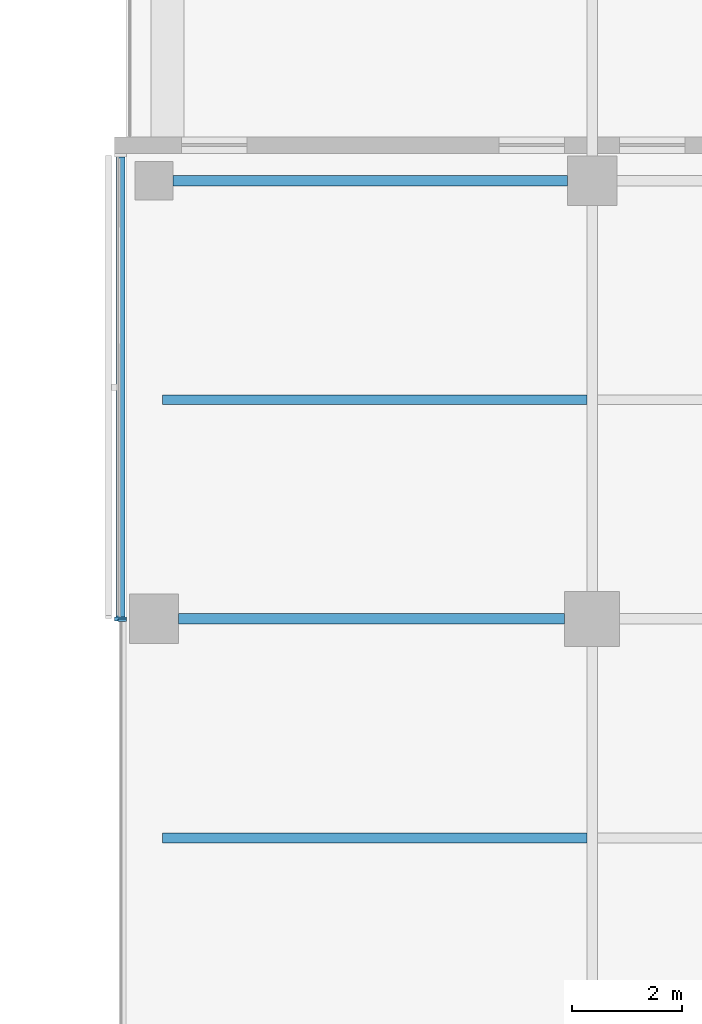
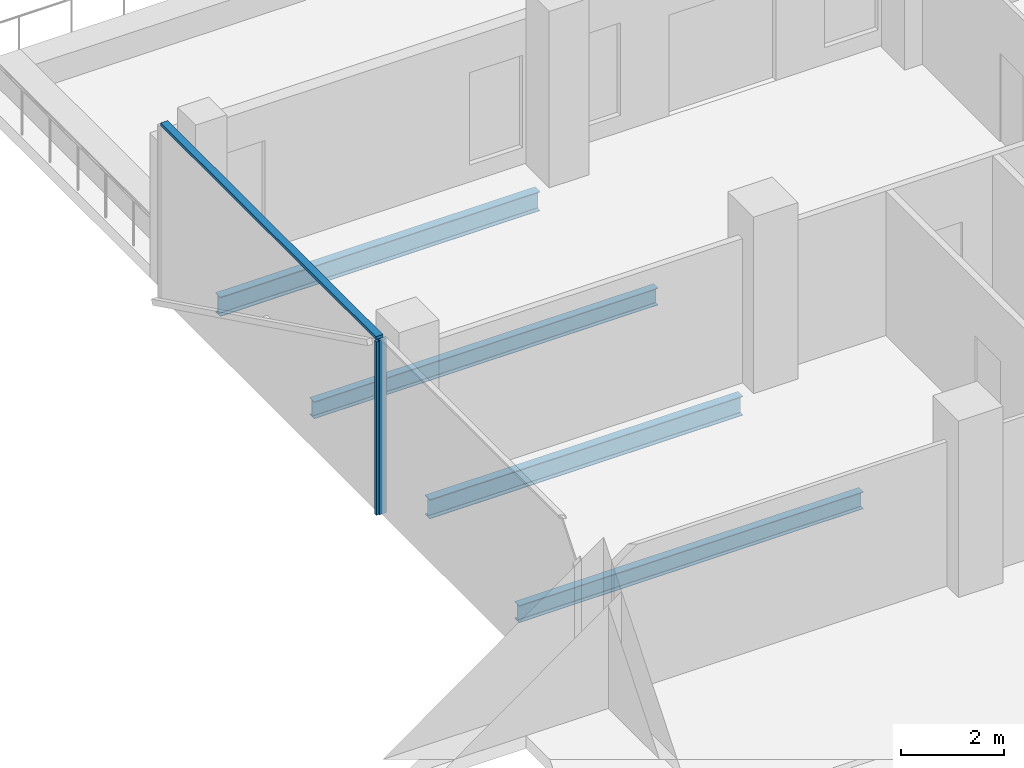
# One storey, part 9 of 24: 4 beams, 3 members, 2 elements without a shape of their own.
"""IFC4 building model written with IfcOpenShell, lengths in metres."""

from ifc_helpers import new_model, si_unit, direction, frame, origin, origin_2d, place, context, subcontext, project, spatial, rectangle, i_section, extrude, material, material_profile, profile_set, type_object, element, aggregate, save


model = new_model("IFC4")

# Units and contexts
model_context = context("Model", 3, precision=1e-05, world=origin(), true_north=direction((0.0, 1.0)))
body_context = subcontext(model_context, "Body", "Model", "MODEL_VIEW")
ifc_project = project(units=[si_unit("LENGTHUNIT", "METRE"), si_unit("AREAUNIT", "SQUARE_METRE"), si_unit("VOLUMEUNIT", "CUBIC_METRE"), si_unit("PLANEANGLEUNIT", "RADIAN"), si_unit("MASSUNIT", "GRAM", prefix="KILO")], contexts=[model_context])

# Site, building, storey
site_placement = place(None, origin())
site = spatial("IfcSite", under=ifc_project, at=site_placement, CompositionType="ELEMENT")
building_placement = place(site_placement, origin())
building = spatial("IfcBuilding", under=site, at=building_placement, Name="Crosswind Convention Tower", CompositionType="ELEMENT")
storey_placement = place(building_placement, frame((0.0, 0.0, 112.699951171875)))
storey = spatial("IfcBuildingStorey", under=building, at=storey_placement, Name="L22", CompositionType="ELEMENT", Elevation=112.699951171875)

# Beams
ifc_material_1 = material(Name="Steel S355", Category="steel")
ifc_material_profile_1 = material_profile(ifc_material_1, i_section(OverallWidth=0.19140625, OverallDepth=0.460205078125, WebThickness=0.010009765625, FlangeThickness=0.01611328125, FilletRadius=0.01025390625, at=origin_2d()), Name="UB 457x191x82")
ifc_profile_set_1 = profile_set([ifc_material_profile_1], Name="Steel S355")
beam_type_1 = type_object("IfcBeamType", Name="Girder UB 457x191x82", PredefinedType="BEAM", material=ifc_profile_set_1)
beam_1_placement = place(storey_placement, frame((113.35009765625, 128.0, -0.530029296875), z_axis=(1.0, 0.0, 0.0), x_axis=(0.0, 1.0, 0.0)))
element("IfcBeam", 1, at=beam_1_placement, inside=storey, type_object=beam_type_1, Name="B3 L22 girder 2", PredefinedType="BEAM", context=body_context, shape_type="SweptSolid", body=[
    extrude(i_section(OverallWidth=0.19140625, OverallDepth=0.460205078125, WebThickness=0.010009765625, FlangeThickness=0.01611328125, FilletRadius=0.01025390625, at=origin_2d()), origin(), (0.0, 0.0, 1.0), 7.199951171875),
])
beam_2_placement = place(storey_placement, frame((113.449951171875, 120.0, -0.530029296875), z_axis=(1.0, 0.0, 0.0), x_axis=(0.0, 1.0, 0.0)))
element("IfcBeam", 2, at=beam_2_placement, inside=storey, type_object=beam_type_1, Name="B3 L22 girder 4", PredefinedType="BEAM", context=body_context, shape_type="SweptSolid", body=[
    extrude(i_section(OverallWidth=0.19140625, OverallDepth=0.460205078125, WebThickness=0.010009765625, FlangeThickness=0.01611328125, FilletRadius=0.01025390625, at=origin_2d()), origin(), (0.0, 0.0, 1.0), 7.050048828125),
])

# Curtain wall, member
ifc_material_2 = material(Name="Aluminium unitised curtain wall", Category="aluminium")
curtain_wall_type_1 = type_object("IfcCurtainWallType", Name="CORE END SLOT WALL 160", PredefinedType="USERDEFINED", material=ifc_material_2)
curtain_wall_1_placement = place(storey_placement, origin())
curtain_wall_1 = element("IfcCurtainWall", 3, at=curtain_wall_1_placement, inside=storey, type_object=curtain_wall_type_1, Name="CW6 L22 N-W.1-2 slot", ObjectType="UNITISED", PredefinedType="USERDEFINED")
ifc_material_3 = material(Name="Aluminium mullion", Category="aluminium")
ifc_material_profile_2 = material_profile(ifc_material_3, rectangle(XDim=0.159912109375, YDim=0.050048828125, at=origin_2d()), Name="AL 160X50")
ifc_profile_set_2 = profile_set([ifc_material_profile_2], Name="Aluminium mullion")
member_type_1 = type_object("IfcMemberType", Name="MULLION 50X160", PredefinedType="MULLION", material=ifc_profile_set_2)
member_1_placement = place(storey_placement, frame((112.419921875, 119.97509765625, -0.300048828125), z_axis=(0.0, 0.0, 1.0), x_axis=(-1.0, 0.0, 0.0)))
member_1 = element("IfcMember", 4, at=member_1_placement, type_object=member_type_1, Name="CW6 mullion 1", PredefinedType="MULLION", context=body_context, shape_type="SweptSolid", body=[
    extrude(rectangle(XDim=0.159912109375, YDim=0.050048828125, at=origin_2d()), origin(), (0.0, 0.0, 1.0), 4.150146484375),
])
aggregate(curtain_wall_1, [member_1])

curtain_wall_type_2 = type_object("IfcCurtainWallType", Name="OFFICE UNITISED WALL 220", PredefinedType="USERDEFINED", material=ifc_material_2)
curtain_wall_2_placement = place(storey_placement, origin())
curtain_wall_2 = element("IfcCurtainWall", 5, at=curtain_wall_2_placement, inside=storey, type_object=curtain_wall_type_2, Name="CW3 L22 N-W 1", ObjectType="UNITISED", PredefinedType="USERDEFINED")
ifc_material_profile_3 = material_profile(ifc_material_3, rectangle(XDim=0.219970703125, YDim=0.070068359375, at=origin_2d()), Name="AL 220X70")
ifc_profile_set_3 = profile_set([ifc_material_profile_3], Name="Aluminium mullion")
member_type_2 = type_object("IfcMemberType", Name="MULLION 70X220", PredefinedType="MULLION", material=ifc_profile_set_3)
member_2_placement = place(storey_placement, frame((112.389892578125, 120.0, -0.300048828125), z_axis=(0.0, 0.0, 1.0), x_axis=(-1.0, 0.0, 0.0)))
member_2 = element("IfcMember", 6, at=member_2_placement, type_object=member_type_2, Name="CW3 mullion 2", PredefinedType="MULLION", context=body_context, shape_type="SweptSolid", body=[
    extrude(rectangle(XDim=0.219970703125, YDim=0.070068359375, at=origin_2d()), origin(), (0.0, 0.0, 1.0), 4.130126953125),
])

# Beams
ifc_material_profile_4 = material_profile(ifc_material_1, i_section(OverallWidth=0.177734375, OverallDepth=0.406494140625, WebThickness=0.0078125, FlangeThickness=0.0126953125, FilletRadius=0.01025390625, at=origin_2d()), Name="UB 406x178x60")
ifc_profile_set_4 = profile_set([ifc_material_profile_4], Name="Steel S355")
beam_type_2 = type_object("IfcBeamType", Name="Secondary beam UB 406x178x60", PredefinedType="JOIST", material=ifc_profile_set_4)
for number, where, z_axis, x_axis, name in (
    (7, (113.156982421875, 116.0, -0.503173828125), (1.0, 0.0, 0.0), (0.0, 1.0, 0.0), "B10 L22 secondary beam 10"),
    (8, (113.156982421875, 124.0, -0.503173828125), (1.0, 0.0, 0.0), (0.0, 1.0, 0.0), "B10 L22 secondary beam 11"),
):
    element("IfcBeam", number, at=place(storey_placement, frame(where, z_axis=z_axis, x_axis=x_axis)), inside=storey, type_object=beam_type_2, Name=name, PredefinedType="JOIST", context=body_context, shape_type="SweptSolid", body=[
        extrude(i_section(OverallWidth=0.177734375, OverallDepth=0.406494140625, WebThickness=0.0078125, FlangeThickness=0.0126953125, FilletRadius=0.01025390625, at=origin_2d()), origin(), (0.0, 0.0, 1.0), 7.747314453125),
    ])

# Member
ifc_material_4 = material(Name="Aluminium transom", Category="aluminium")
ifc_material_profile_5 = material_profile(ifc_material_4, rectangle(XDim=0.159912109375, YDim=0.070068359375, at=origin_2d()), Name="AL 160X70")
ifc_profile_set_5 = profile_set([ifc_material_profile_5], Name="Aluminium transom")
member_type_3 = type_object("IfcMemberType", Name="TRANSOM 70X160", PredefinedType="USERDEFINED", material=ifc_profile_set_5)
member_3_placement = place(storey_placement, frame((112.389892578125, 128.429931640625, 3.864990234375), z_axis=(0.0, -1.0, 0.0), x_axis=(1.0, 0.0, 0.0)))
member_3 = element("IfcMember", 9, at=member_3_placement, type_object=member_type_3, Name="CW3 transom", ObjectType="TRANSOM", PredefinedType="USERDEFINED", context=body_context, shape_type="SweptSolid", body=[
    extrude(rectangle(XDim=0.159912109375, YDim=0.070068359375, at=origin_2d()), origin(), (0.0, 0.0, 1.0), 8.39501953125),
])

aggregate(curtain_wall_2, [member_2, member_3])

save(model, "model.ifc")
